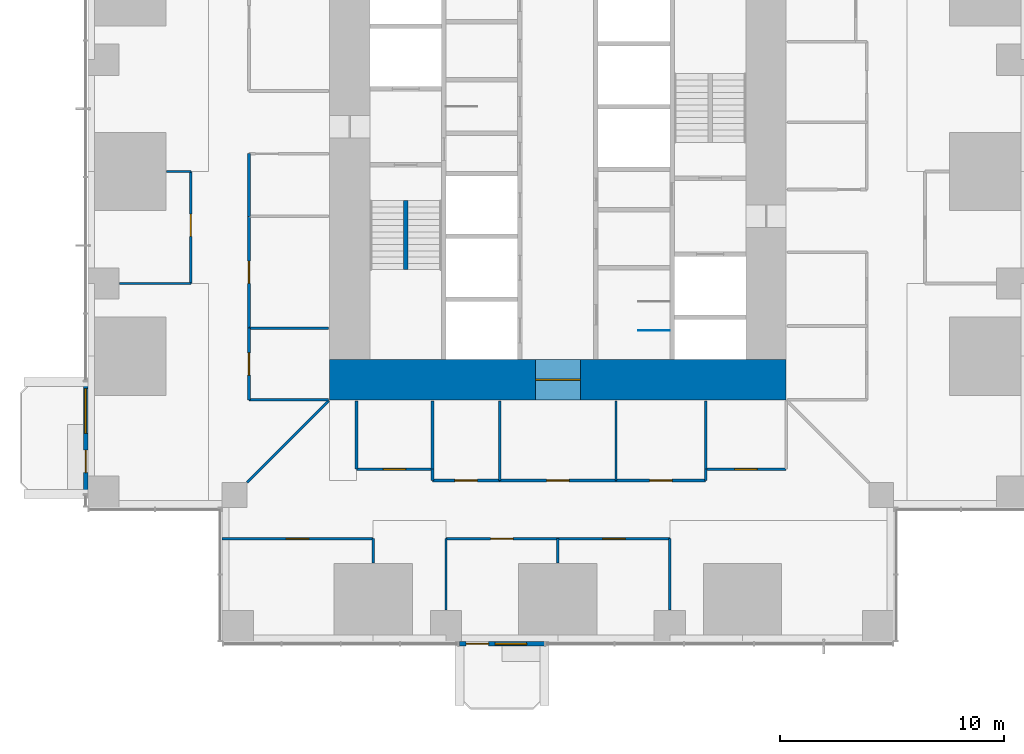
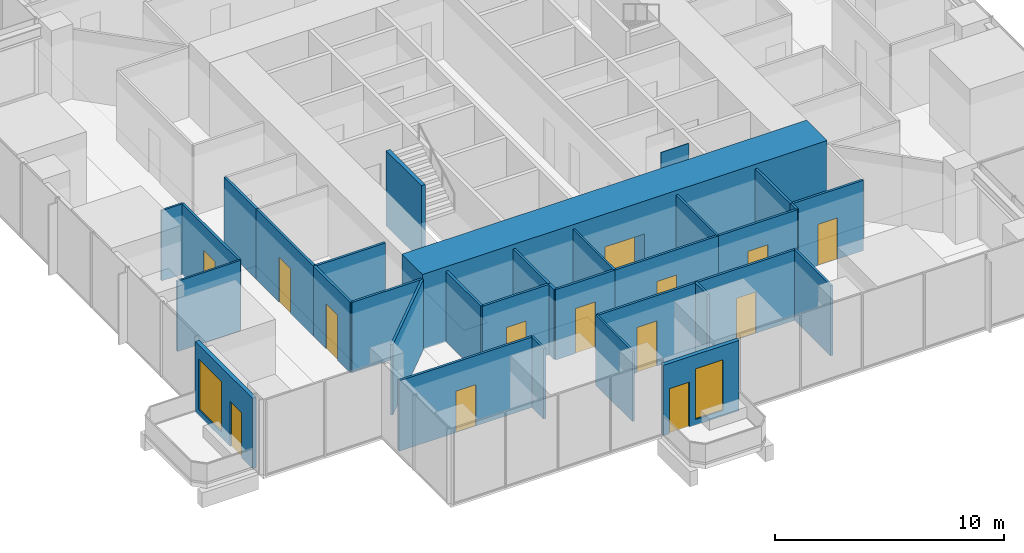
# One storey, part 11 of 18: 33 walls, 14 doors, 2 windows, 16 openings.
"""IFC4 building model written with IfcOpenShell, lengths in metres."""

import ifcopenshell
import ifcopenshell.guid

model = None  # the IFC model being written
_history = None  # IfcOwnerHistory: only IFC2X3 demands one
_inside = {}  # id of a spatial element -> (the spatial element, [elements in it])
_under = {}  # id of a project, library or spatial element -> (it, [spatial elements below it])
_declared = {}  # id of a project -> (the project, [libraries it declares])
_typed = {}  # id of a type object -> (the type object, [elements of that type])
_made_of = {}  # id of a material, layer set ... -> (it, [elements and type objects made of it])


def new_model(schema):
    """Start an empty IFC model of exactly this schema.

    Asked for "IFC4X3", IfcOpenShell would pick the latest addendum, in which some entities
    have other attributes; the version numbers below select the first issue.
    IFC2X3 requires an IfcOwnerHistory on every rooted entity: one is made here for all.
    """
    global model, _history
    if schema == "IFC4X3":
        model = ifcopenshell.file(schema_version=(4, 3, 0, 0))
    else:
        model = ifcopenshell.file(schema=schema)
    _inside.clear()
    _under.clear()
    _declared.clear()
    _typed.clear()
    _made_of.clear()
    _history = None
    if model.schema == "IFC2X3":
        org = make("IfcOrganization", Name="unknown")
        user = make(
            "IfcPersonAndOrganization",
            ThePerson=make("IfcPerson", FamilyName="unknown"),
            TheOrganization=org,
        )
        app = make(
            "IfcApplication",
            ApplicationDeveloper=org,
            Version="unknown",
            ApplicationFullName="unknown",
            ApplicationIdentifier="unknown",
        )
        _history = make(
            "IfcOwnerHistory",
            OwningUser=user,
            OwningApplication=app,
            ChangeAction="ADDED",
            CreationDate=0,
        )
    return model


def make(cls, **values):
    """One entity of the class cls with the attributes given. An attribute that is None is left unset."""
    return model.create_entity(
        cls, **{name: value for name, value in values.items() if value is not None}
    )


def rooted(cls, **values):
    """An entity with a GlobalId (a new one), such as an element, a storey or a relation."""
    return make(cls, GlobalId=ifcopenshell.guid.new(), OwnerHistory=_history, **values)


def si_unit(unit_type, name, prefix=None):
    """IfcSIUnit, for example si_unit("LENGTHUNIT", "METRE", prefix="MILLI")."""
    return make("IfcSIUnit", UnitType=unit_type, Prefix=prefix, Name=name)


def assignment(units):
    """IfcUnitAssignment: the units of a project."""
    return None if units is None else make("IfcUnitAssignment", Units=units)


def point(xyz):
    """IfcCartesianPoint."""
    return None if xyz is None else make("IfcCartesianPoint", Coordinates=xyz)


def direction(xyz):
    """IfcDirection."""
    return None if xyz is None else make("IfcDirection", DirectionRatios=xyz)


def frame(location, z_axis=None, x_axis=None):
    """IfcAxis2Placement3D, a coordinate frame: its origin and axes. An axis left out is left unset."""
    return make(
        "IfcAxis2Placement3D",
        Location=point(location),
        Axis=direction(z_axis),
        RefDirection=direction(x_axis),
    )


def frame_2d(location, x_axis=None):
    """IfcAxis2Placement2D, a coordinate frame in the plane: its origin and x axis."""
    return make(
        "IfcAxis2Placement2D", Location=point(location), RefDirection=direction(x_axis)
    )


def origin():
    """The frame at (0, 0, 0) with its axes left unset."""
    return frame((0.0, 0.0, 0.0))


def place(relative_to, where):
    """IfcLocalPlacement: puts the frame where relative to a parent placement (None: the world)."""
    return make(
        "IfcLocalPlacement", PlacementRelTo=relative_to, RelativePlacement=where
    )


def context(
    kind, dimensions, precision=None, world=None, true_north=None, identifier=None
):
    """IfcGeometricRepresentationContext, for example the 3D "Model" context."""
    return make(
        "IfcGeometricRepresentationContext",
        ContextIdentifier=identifier,
        ContextType=kind,
        CoordinateSpaceDimension=dimensions,
        Precision=precision,
        WorldCoordinateSystem=world,
        TrueNorth=true_north,
    )


def subcontext(parent, identifier, kind, view, scale=None):
    """IfcGeometricRepresentationSubContext, for example "Body" below "Model"."""
    return make(
        "IfcGeometricRepresentationSubContext",
        ContextIdentifier=identifier,
        ContextType=kind,
        ParentContext=parent,
        TargetScale=scale,
        TargetView=view,
    )


def project(units=None, contexts=None):
    """IfcProject with its units and contexts."""
    return rooted(
        "IfcProject",
        Name="project",
        RepresentationContexts=contexts,
        UnitsInContext=assignment(units),
    )


def spatial(cls, under=None, at=None, **own):
    """A site, building, storey or space (cls), placed at a placement, below another one or the project."""
    s = rooted(cls, ObjectPlacement=at, **own)
    if under is not None:
        _under.setdefault(under.id(), (under, []))[1].append(s)
    return s


def profile(cls, at=None, kind="AREA", **sizes):
    """A parametric profile (cls). Its sizes go by their IFC names, for example OverallWidth=200.0."""
    return make(cls, ProfileType=kind, Position=at, **sizes)


def rectangle(**sizes):
    """IfcRectangleProfileDef."""
    return profile("IfcRectangleProfileDef", **sizes)


def extrude(swept, where, along, depth):
    """IfcExtrudedAreaSolid: the profile swept, set in the frame where, extruded along a direction by depth."""
    return make(
        "IfcExtrudedAreaSolid",
        SweptArea=swept,
        Position=where,
        ExtrudedDirection=direction(along),
        Depth=depth,
    )


def shape(context_of_items, identifier, shape_type, items):
    """IfcShapeRepresentation: the items that make up one representation, for example the "Body"."""
    return make(
        "IfcShapeRepresentation",
        ContextOfItems=context_of_items,
        RepresentationIdentifier=identifier,
        RepresentationType=shape_type,
        Items=items,
    )


def material(Name=None, Category=None):
    """IfcMaterial."""
    return make("IfcMaterial", Name=Name, Category=Category)


def layer(
    of_material, thickness, ventilated=None, Name=None, Category=None, Priority=None
):
    """IfcMaterialLayer: one layer of a wall or slab, of a material (None: an air gap)."""
    return make(
        "IfcMaterialLayer",
        Material=of_material,
        LayerThickness=thickness,
        IsVentilated=ventilated,
        Name=Name,
        Category=Category,
        Priority=Priority,
    )


def layer_set(layers, Name=None):
    """IfcMaterialLayerSet."""
    return make("IfcMaterialLayerSet", MaterialLayers=layers, LayerSetName=Name)


def made_of(thing, what):
    """Note that an element or type object is made of a material, layer set ...; save() writes the relation."""
    if what is not None:
        _made_of.setdefault(what.id(), (what, []))[1].append(thing)
    return thing


def type_object(cls, material=None, **own):
    """A type object (cls), such as IfcWallType, which elements share."""
    return made_of(rooted(cls, **own), material)


def element(
    cls,
    number,
    at=None,
    inside=None,
    cuts=None,
    type_object=None,
    material=None,
    context=None,
    identifier="Body",
    shape_type=None,
    held_by="IfcProductDefinitionShape",
    body=None,
    shapes=None,
    **own,
):
    """One element of the class cls, such as IfcWall. Its Tag is "e" and its number.

    at: its placement. inside: the storey or other place that contains it. cuts: it is an
    opening in that element (IfcRelVoidsElement). A single representation is given by context,
    identifier, shape_type and body (its items); several are given by shapes. held_by: the class
    of the entity that holds the representations. save() writes the other relations.
    """
    e = rooted(cls, Tag="e%d" % number, ObjectPlacement=at, **own)
    if body is not None:
        shapes = [shape(context, identifier, shape_type, body)]
    if shapes is not None:
        e.Representation = make(held_by, Representations=shapes)
    if inside is not None:
        _inside.setdefault(inside.id(), (inside, []))[1].append(e)
    if cuts is not None:
        rooted(
            "IfcRelVoidsElement", RelatingBuildingElement=cuts, RelatedOpeningElement=e
        )
    if type_object is not None:
        _typed.setdefault(type_object.id(), (type_object, []))[1].append(e)
    return made_of(e, material)


def fill(opening, filler):
    """IfcRelFillsElement: the door or window that sits in an opening."""
    return rooted(
        "IfcRelFillsElement",
        RelatingOpeningElement=opening,
        RelatedBuildingElement=filler,
    )


def aggregate(whole, parts):
    """IfcRelAggregates: a whole, such as a stair, and the parts it consists of."""
    return rooted("IfcRelAggregates", RelatingObject=whole, RelatedObjects=parts)


def save(model, path):
    """Write the relations noted so far, then the file.

    IfcRelAggregates (storeys below a building ...), IfcRelContainedInSpatialStructure (elements
    in a storey), IfcRelDefinesByType, IfcRelAssociatesMaterial and IfcRelDeclares: one each for
    every whole, place, type object, material and project.
    """
    for whole, parts in _under.values():
        aggregate(whole, parts)
    for where, things in _inside.values():
        rooted(
            "IfcRelContainedInSpatialStructure",
            RelatedElements=things,
            RelatingStructure=where,
        )
    for kind, things in _typed.values():
        rooted("IfcRelDefinesByType", RelatedObjects=things, RelatingType=kind)
    for what, things in _made_of.values():
        rooted("IfcRelAssociatesMaterial", RelatedObjects=things, RelatingMaterial=what)
    for by, libraries in _declared.values():
        rooted("IfcRelDeclares", RelatingContext=by, RelatedDefinitions=libraries)
    model.write(path)


model = new_model("IFC4")

# Units and contexts
model_context = context("Model", 3, precision=1e-05, world=origin(), true_north=direction((0.0, 1.0)))
body_context = subcontext(model_context, "Body", "Model", "MODEL_VIEW")
ifc_project = project(units=[si_unit("LENGTHUNIT", "METRE"), si_unit("AREAUNIT", "SQUARE_METRE"), si_unit("VOLUMEUNIT", "CUBIC_METRE"), si_unit("PLANEANGLEUNIT", "RADIAN"), si_unit("MASSUNIT", "GRAM", prefix="KILO")], contexts=[model_context])

# Site, building, storey
site_placement = place(None, origin())
site = spatial("IfcSite", under=ifc_project, at=site_placement, CompositionType="ELEMENT")
building_placement = place(site_placement, origin())
building = spatial("IfcBuilding", under=site, at=building_placement, Name="Svetlomir Tower", CompositionType="ELEMENT")
storey_placement = place(building_placement, frame((0.0, 0.0, 54.5)))
storey = spatial("IfcBuildingStorey", under=building, at=storey_placement, Name="L12", CompositionType="ELEMENT", Elevation=54.5)

# Wall, openings, door, window
ifc_material_1 = material(Name="Bronze anodised aluminium glazed screen", Category="aluminium")
ifc_layer_1 = layer(ifc_material_1, 0.199951171875)
ifc_layer_set_1 = layer_set([ifc_layer_1], Name="Bronze anodised aluminium glazed screen")
wall_type_1 = type_object("IfcWallType", Name="BALCONY SCREEN WALL 200", PredefinedType="USERDEFINED", material=ifc_layer_set_1)
wall_1_placement = place(storey_placement, frame((16.60009765625, -0.10009765625, 0.0), z_axis=(0.0, 0.0, 1.0), x_axis=(1.0, 0.0, 0.0)))
wall_1 = element("IfcWall", 1, at=wall_1_placement, inside=storey, type_object=wall_type_1, Name="Balcony screen S", ObjectType="GLAZED SCREEN", PredefinedType="USERDEFINED", context=body_context, shape_type="SweptSolid", body=[
    extrude(rectangle(XDim=3.7998046875, YDim=0.199951171875, at=frame_2d((1.89990234375, 0.0))), origin(), (0.0, 0.0, 1.0), 3.75),
])
opening_1_placement = place(wall_1_placement, frame((0.300048828125, 0.0, 0.0)))
opening_1 = element("IfcOpeningElement", 2, at=opening_1_placement, cuts=wall_1, Name="Opening BD", PredefinedType="OPENING", context=body_context, shape_type="SweptSolid", body=[
    extrude(rectangle(XDim=1.0, YDim=2.39990234375, at=frame_2d((0.5, 1.199951171875))), frame((0.0, 0.10986328125, 0.0), z_axis=(0.0, -1.0, 0.0), x_axis=(1.0, 0.0, 0.0)), (0.0, 0.0, 1.0), 0.219970703125),
])
opening_2_placement = place(wall_1_placement, frame((1.60009765625, 0.0, 0.300048828125)))
opening_2 = element("IfcOpeningElement", 3, at=opening_2_placement, cuts=wall_1, Name="Opening WS2", PredefinedType="OPENING", context=body_context, shape_type="SweptSolid", body=[
    extrude(rectangle(XDim=1.39990234375, YDim=2.699951171875, at=frame_2d((0.699951171875, 1.35009765625))), frame((0.0, 0.10986328125, 0.0), z_axis=(0.0, -1.0, 0.0), x_axis=(1.0, 0.0, 0.0)), (0.0, 0.0, 1.0), 0.219970703125),
])
ifc_material_2 = material(Name="Bronze anodised aluminium glazed door", Category="aluminium")
door_type_1 = type_object("IfcDoorType", Name="BALCONY DOOR BD 1000x2400", OperationType="SINGLE_SWING_LEFT", PredefinedType="DOOR", material=ifc_material_2)
door_1_placement = place(opening_1_placement, origin())
door_1 = element("IfcDoor", 4, at=door_1_placement, inside=storey, type_object=door_type_1, Name="Balcony screen S door", OperationType="SINGLE_SWING_LEFT", OverallHeight=2.39990234375, OverallWidth=1.0, PredefinedType="DOOR", context=body_context, shape_type="SweptSolid", body=[
    extrude(rectangle(XDim=1.0, YDim=2.39990234375, at=frame_2d((0.5, 1.199951171875))), frame((0.0, 0.02490234375, 0.0), z_axis=(0.0, -1.0, 0.0), x_axis=(1.0, 0.0, 0.0)), (0.0, 0.0, 1.0), 0.050048828125),
])
fill(opening_1, door_1)
ifc_material_3 = material(Name="Bronze anodised aluminium window", Category="aluminium")
window_type_1 = type_object("IfcWindowType", Name="SCREEN WINDOW WS2 1400x2700", PartitioningType="SINGLE_PANEL", PredefinedType="WINDOW", material=ifc_material_3)
window_1_placement = place(opening_2_placement, origin())
window_1 = element("IfcWindow", 5, at=window_1_placement, inside=storey, type_object=window_type_1, Name="Balcony screen S window 1", OverallHeight=2.699951171875, OverallWidth=1.39990234375, PartitioningType="SINGLE_PANEL", PredefinedType="WINDOW", context=body_context, shape_type="SweptSolid", body=[
    extrude(rectangle(XDim=1.39990234375, YDim=2.699951171875, at=frame_2d((0.699951171875, 1.35009765625))), frame((0.0, 0.030029296875, 0.0), z_axis=(0.0, -1.0, 0.0), x_axis=(1.0, 0.0, 0.0)), (0.0, 0.0, 1.0), 0.06005859375),
])
fill(opening_2, window_1)

wall_2_placement = place(storey_placement, frame((-0.10009765625, 11.60009765625, 0.0), z_axis=(0.0, 0.0, 1.0), x_axis=(0.0, -1.0, 0.0)))
wall_2 = element("IfcWall", 6, at=wall_2_placement, inside=storey, type_object=wall_type_1, Name="Balcony screen W", ObjectType="GLAZED SCREEN", PredefinedType="USERDEFINED", context=body_context, shape_type="SweptSolid", body=[
    extrude(rectangle(XDim=5.0, YDim=0.199951171875, at=frame_2d((2.5, 0.0))), origin(), (0.0, 0.0, 1.0), 3.75),
])
opening_3_placement = place(wall_2_placement, frame((3.050048828125, 0.0, 0.0)))
opening_3 = element("IfcOpeningElement", 7, at=opening_3_placement, cuts=wall_2, Name="Opening BD", PredefinedType="OPENING", context=body_context, shape_type="SweptSolid", body=[
    extrude(rectangle(XDim=1.0, YDim=2.39990234375, at=frame_2d((0.5, 1.199951171875))), frame((0.0, 0.10986328125, 0.0), z_axis=(0.0, -1.0, 0.0), x_axis=(1.0, 0.0, 0.0)), (0.0, 0.0, 1.0), 0.219970703125),
])
opening_4_placement = place(wall_2_placement, frame((0.300048828125, 0.0, 0.300048828125)))
opening_4 = element("IfcOpeningElement", 8, at=opening_4_placement, cuts=wall_2, Name="Opening WS", PredefinedType="OPENING", context=body_context, shape_type="SweptSolid", body=[
    extrude(rectangle(XDim=2.0, YDim=2.699951171875, at=frame_2d((1.0, 1.35009765625))), frame((0.0, 0.10986328125, 0.0), z_axis=(0.0, -1.0, 0.0), x_axis=(1.0, 0.0, 0.0)), (0.0, 0.0, 1.0), 0.219970703125),
])
door_2_placement = place(opening_3_placement, origin())
door_2 = element("IfcDoor", 9, at=door_2_placement, inside=storey, type_object=door_type_1, Name="Balcony screen W door", OperationType="SINGLE_SWING_LEFT", OverallHeight=2.39990234375, OverallWidth=1.0, PredefinedType="DOOR", context=body_context, shape_type="SweptSolid", body=[
    extrude(rectangle(XDim=1.0, YDim=2.39990234375, at=frame_2d((0.5, 1.199951171875))), frame((0.0, 0.02490234375, 0.0), z_axis=(0.0, -1.0, 0.0), x_axis=(1.0, 0.0, 0.0)), (0.0, 0.0, 1.0), 0.050048828125),
])
fill(opening_3, door_2)
ifc_material_4 = material(Name="Bronze anodised aluminium window", Category="aluminium")
window_type_2 = type_object("IfcWindowType", Name="SCREEN WINDOW WS 2000x2700", PartitioningType="SINGLE_PANEL", PredefinedType="WINDOW", material=ifc_material_4)
window_2_placement = place(opening_4_placement, origin())
window_2 = element("IfcWindow", 10, at=window_2_placement, inside=storey, type_object=window_type_2, Name="Balcony screen W window 1", OverallHeight=2.699951171875, OverallWidth=2.0, PartitioningType="SINGLE_PANEL", PredefinedType="WINDOW", context=body_context, shape_type="SweptSolid", body=[
    extrude(rectangle(XDim=2.0, YDim=2.699951171875, at=frame_2d((1.0, 1.35009765625))), frame((0.0, 0.030029296875, 0.0), z_axis=(0.0, -1.0, 0.0), x_axis=(1.0, 0.0, 0.0)), (0.0, 0.0, 1.0), 0.06005859375),
])
fill(opening_4, window_2)

# Wall, opening, door
ifc_material_5 = material(Name="Concrete C60/75", Category="concrete")
ifc_layer_2 = layer(ifc_material_5, 1.800048828125)
ifc_layer_set_2 = layer_set([ifc_layer_2], Name="Concrete C60/75")
wall_type_2 = type_object("IfcWallType", Name="CORE WALL 1800", PredefinedType="SHEAR", material=ifc_layer_set_2)
wall_3_placement = place(storey_placement, frame((10.800048828125, 11.699951171875, -0.050048828125), z_axis=(0.0, 0.0, 1.0), x_axis=(1.0, 0.0, 0.0)))
wall_3 = element("IfcWall", 11, at=wall_3_placement, inside=storey, type_object=wall_type_2, Name="Core wall south L12", PredefinedType="SHEAR", context=body_context, shape_type="SweptSolid", body=[
    extrude(rectangle(XDim=20.39990234375, YDim=1.800048828125, at=frame_2d((10.199951171875, 0.0))), origin(), (0.0, 0.0, 1.0), 4.0),
])
opening_5_placement = place(wall_3_placement, frame((9.199951171875, 0.0, 0.050048828125)))
opening_5 = element("IfcOpeningElement", 12, at=opening_5_placement, cuts=wall_3, Name="Opening DL", PredefinedType="OPENING", context=body_context, shape_type="SweptSolid", body=[
    extrude(rectangle(XDim=2.0, YDim=2.199951171875, at=frame_2d((1.0, 1.10009765625))), frame((0.0, 0.91015625, 0.0), z_axis=(0.0, -1.0, 0.0), x_axis=(1.0, 0.0, 0.0)), (0.0, 0.0, 1.0), 1.820068359375),
])
ifc_material_6 = material(Name="Steel fire door", Category="steel")
door_type_2 = type_object("IfcDoorType", Name="DOOR DL 2000x2200", OperationType="DOUBLE_DOOR_SINGLE_SWING", PredefinedType="DOOR", material=ifc_material_6)
door_3_placement = place(opening_5_placement, origin())
door_3 = element("IfcDoor", 13, at=door_3_placement, inside=storey, type_object=door_type_2, Name="Lift lobby south door L12", OperationType="DOUBLE_DOOR_SINGLE_SWING", OverallHeight=2.199951171875, OverallWidth=2.0, PredefinedType="DOOR", context=body_context, shape_type="SweptSolid", body=[
    extrude(rectangle(XDim=2.0, YDim=2.199951171875, at=frame_2d((1.0, 1.10009765625))), frame((0.0, 0.02490234375, 0.0), z_axis=(0.0, -1.0, 0.0), x_axis=(1.0, 0.0, 0.0)), (0.0, 0.0, 1.0), 0.050048828125),
])
fill(opening_5, door_3)

# Walls
ifc_material_7 = material(Name="Framed laminated glass partition", Category="glass")
ifc_layer_3 = layer(ifc_material_7, 0.10009765625)
ifc_layer_set_3 = layer_set([ifc_layer_3], Name="Framed laminated glass partition")
wall_type_3 = type_object("IfcWallType", Name="GLAZED PARTITION 100", PredefinedType="PARTITIONING", material=ifc_layer_set_3)
wall_4_placement = place(storey_placement, frame((1.409912109375, 16.0, 0.0), z_axis=(0.0, 0.0, 1.0), x_axis=(1.0, 0.0, 0.0)))
element("IfcWall", 14, at=wall_4_placement, inside=storey, type_object=wall_type_3, Name="Glazed partition L12", PredefinedType="PARTITIONING", context=body_context, shape_type="SweptSolid", body=[
    extrude(rectangle(XDim=3.190185546875, YDim=0.10009765625, at=frame_2d((1.59521484375, 0.0))), origin(), (0.0, 0.0, 1.0), 3.75),
])
wall_5_placement = place(storey_placement, frame((3.510009765625, 21.0, 0.0), z_axis=(0.0, 0.0, 1.0), x_axis=(1.0, 0.0, 0.0)))
element("IfcWall", 15, at=wall_5_placement, inside=storey, type_object=wall_type_3, Name="Glazed partition L12", PredefinedType="PARTITIONING", context=body_context, shape_type="SweptSolid", body=[
    extrude(rectangle(XDim=1.090087890625, YDim=0.10009765625, at=frame_2d((0.544921875, 0.0))), origin(), (0.0, 0.0, 1.0), 3.75),
])
wall_6_placement = place(storey_placement, frame((16.0, 1.409912109375, 0.0), z_axis=(0.0, 0.0, 1.0), x_axis=(0.0, 1.0, 0.0)))
element("IfcWall", 16, at=wall_6_placement, inside=storey, type_object=wall_type_3, Name="Glazed partition L12", PredefinedType="PARTITIONING", context=body_context, shape_type="SweptSolid", body=[
    extrude(rectangle(XDim=3.190185546875, YDim=0.10009765625, at=frame_2d((1.59521484375, 0.0))), origin(), (0.0, 0.0, 1.0), 3.75),
])
for number, where, z_axis, x_axis, name in (
    (17, (18.39990234375, 7.199951171875, 0.0), (0.0, 0.0, 1.0), (0.0, 1.0, 0.0), "Glazed partition L12"),
    (18, (23.60009765625, 7.199951171875, 0.0), (0.0, 0.0, 1.0), (0.0, 1.0, 0.0), "Glazed partition L12"),
):
    element("IfcWall", number, at=place(storey_placement, frame(where, z_axis=z_axis, x_axis=x_axis)), inside=storey, type_object=wall_type_3, Name=name, PredefinedType="PARTITIONING", context=body_context, shape_type="SweptSolid", body=[
        extrude(rectangle(XDim=3.550048828125, YDim=0.10009765625, at=frame_2d((1.77490234375, 0.0))), origin(), (0.0, 0.0, 1.0), 3.75),
    ])

# Wall, opening, door
ifc_material_8 = material(Name="Gypsum board on steel studs", Category="steel")
ifc_layer_4 = layer(ifc_material_8, 0.1201171875)
ifc_layer_set_4 = layer_set([ifc_layer_4], Name="Gypsum board on steel studs")
wall_type_4 = type_object("IfcWallType", Name="PARTITION 120", PredefinedType="PARTITIONING", material=ifc_layer_set_4)
wall_7_placement = place(storey_placement, frame((4.60009765625, 16.0, 0.0), z_axis=(0.0, 0.0, 1.0), x_axis=(0.0, 1.0, 0.0)))
wall_7 = element("IfcWall", 19, at=wall_7_placement, inside=storey, type_object=wall_type_4, Name="Partition L12", PredefinedType="PARTITIONING", context=body_context, shape_type="SweptSolid", body=[
    extrude(rectangle(XDim=5.0, YDim=0.1201171875, at=frame_2d((2.5, 0.0))), origin(), (0.0, 0.0, 1.0), 3.75),
])
opening_6_placement = place(wall_7_placement, frame((2.10009765625, 0.0, 0.0)))
opening_6 = element("IfcOpeningElement", 20, at=opening_6_placement, cuts=wall_7, Name="Opening DG", PredefinedType="OPENING", context=body_context, shape_type="SweptSolid", body=[
    extrude(rectangle(XDim=1.0, YDim=2.39990234375, at=frame_2d((0.5, 1.199951171875))), frame((0.0, 0.070068359375, 0.0), z_axis=(0.0, -1.0, 0.0), x_axis=(1.0, 0.0, 0.0)), (0.0, 0.0, 1.0), 0.14013671875),
])
ifc_material_9 = material(Name="Framed laminated glass door", Category="glass")
door_type_3 = type_object("IfcDoorType", Name="GLAZED DOOR DG 1000x2400", OperationType="SINGLE_SWING_LEFT", PredefinedType="DOOR", material=ifc_material_9)
door_4_placement = place(opening_6_placement, origin())
door_4 = element("IfcDoor", 21, at=door_4_placement, inside=storey, type_object=door_type_3, Name="Analytics lab door L12", OperationType="SINGLE_SWING_RIGHT", OverallHeight=2.39990234375, OverallWidth=1.0, PredefinedType="DOOR", context=body_context, shape_type="SweptSolid", body=[
    extrude(rectangle(XDim=1.0, YDim=2.39990234375, at=frame_2d((0.5, 1.199951171875))), frame((0.0, 0.02490234375, 0.0), z_axis=(0.0, -1.0, 0.0), x_axis=(1.0, 0.0, 0.0)), (0.0, 0.0, 1.0), 0.050048828125),
])
fill(opening_6, door_4)

wall_8_placement = place(storey_placement, frame((6.0, 4.60009765625, 0.0), z_axis=(0.0, 0.0, 1.0), x_axis=(1.0, 0.0, 0.0)))
wall_8 = element("IfcWall", 22, at=wall_8_placement, inside=storey, type_object=wall_type_4, Name="Partition L12", PredefinedType="PARTITIONING", context=body_context, shape_type="SweptSolid", body=[
    extrude(rectangle(XDim=6.75, YDim=0.1201171875, at=frame_2d((3.375, 0.0))), origin(), (0.0, 0.0, 1.0), 3.75),
])
opening_7_placement = place(wall_8_placement, frame((2.875, 0.0, 0.0)))
opening_7 = element("IfcOpeningElement", 23, at=opening_7_placement, cuts=wall_8, Name="Opening DR", PredefinedType="OPENING", context=body_context, shape_type="SweptSolid", body=[
    extrude(rectangle(XDim=1.0, YDim=2.199951171875, at=frame_2d((0.5, 1.10009765625))), frame((0.0, 0.070068359375, 0.0), z_axis=(0.0, -1.0, 0.0), x_axis=(1.0, 0.0, 0.0)), (0.0, 0.0, 1.0), 0.14013671875),
])
ifc_material_10 = material(Name="Timber door, glazed side light", Category="wood")
door_type_4 = type_object("IfcDoorType", Name="DOOR DR 1000x2200", OperationType="SINGLE_SWING_LEFT", PredefinedType="DOOR", material=ifc_material_10)
door_5_placement = place(opening_7_placement, origin())
door_5 = element("IfcDoor", 24, at=door_5_placement, inside=storey, type_object=door_type_4, Name="Head of data office door L12", OperationType="SINGLE_SWING_RIGHT", OverallHeight=2.199951171875, OverallWidth=1.0, PredefinedType="DOOR", context=body_context, shape_type="SweptSolid", body=[
    extrude(rectangle(XDim=1.0, YDim=2.199951171875, at=frame_2d((0.5, 1.10009765625))), frame((0.0, 0.02490234375, 0.0), z_axis=(0.0, -1.0, 0.0), x_axis=(1.0, 0.0, 0.0)), (0.0, 0.0, 1.0), 0.050048828125),
])
fill(opening_7, door_5)

# Wall
wall_9_placement = place(storey_placement, frame((7.110107421875, 7.110107421875, 0.0), z_axis=(0.0, 0.0, 1.0), x_axis=(0.707106781187, 0.707106781187, 0.0)))
element("IfcWall", 25, at=wall_9_placement, inside=storey, type_object=wall_type_4, Name="Partition L12", PredefinedType="PARTITIONING", context=body_context, shape_type="SweptSolid", body=[
    extrude(rectangle(XDim=5.168212890625, YDim=0.1201171875, at=frame_2d((2.583984375, 0.0))), origin(), (0.0, 0.0, 1.0), 3.75),
])

# Wall, opening, door
wall_10_placement = place(storey_placement, frame((7.199951171875, 10.800048828125, 0.0), z_axis=(0.0, 0.0, 1.0), x_axis=(0.0, 1.0, 0.0)))
wall_10 = element("IfcWall", 26, at=wall_10_placement, inside=storey, type_object=wall_type_4, Name="Partition L12", PredefinedType="PARTITIONING", context=body_context, shape_type="SweptSolid", body=[
    extrude(rectangle(XDim=3.199951171875, YDim=0.1201171875, at=frame_2d((1.60009765625, 0.0))), origin(), (0.0, 0.0, 1.0), 3.75),
])
opening_8_placement = place(wall_10_placement, frame((1.10009765625, 0.0, 0.0)))
opening_8 = element("IfcOpeningElement", 27, at=opening_8_placement, cuts=wall_10, Name="Opening DG", PredefinedType="OPENING", context=body_context, shape_type="SweptSolid", body=[
    extrude(rectangle(XDim=1.0, YDim=2.39990234375, at=frame_2d((0.5, 1.199951171875))), frame((0.0, 0.070068359375, 0.0), z_axis=(0.0, -1.0, 0.0), x_axis=(1.0, 0.0, 0.0)), (0.0, 0.0, 1.0), 0.14013671875),
])
door_6_placement = place(opening_8_placement, origin())
door_6 = element("IfcDoor", 28, at=door_6_placement, inside=storey, type_object=door_type_3, Name="Phone rooms door L12", OperationType="SINGLE_SWING_LEFT", OverallHeight=2.39990234375, OverallWidth=1.0, PredefinedType="DOOR", context=body_context, shape_type="SweptSolid", body=[
    extrude(rectangle(XDim=1.0, YDim=2.39990234375, at=frame_2d((0.5, 1.199951171875))), frame((0.0, 0.02490234375, 0.0), z_axis=(0.0, -1.0, 0.0), x_axis=(1.0, 0.0, 0.0)), (0.0, 0.0, 1.0), 0.050048828125),
])
fill(opening_8, door_6)

# Wall
wall_11_placement = place(storey_placement, frame((7.199951171875, 10.800048828125, 0.0), z_axis=(0.0, 0.0, 1.0), x_axis=(1.0, 0.0, 0.0)))
element("IfcWall", 29, at=wall_11_placement, inside=storey, type_object=wall_type_4, Name="Partition L12", PredefinedType="PARTITIONING", context=body_context, shape_type="SweptSolid", body=[
    extrude(rectangle(XDim=3.550048828125, YDim=0.1201171875, at=frame_2d((1.77490234375, 0.0))), origin(), (0.0, 0.0, 1.0), 3.75),
])

# Wall, opening, door
wall_12_placement = place(storey_placement, frame((7.199951171875, 14.0, 0.0), z_axis=(0.0, 0.0, 1.0), x_axis=(0.0, 1.0, 0.0)))
wall_12 = element("IfcWall", 30, at=wall_12_placement, inside=storey, type_object=wall_type_4, Name="Partition L12", PredefinedType="PARTITIONING", context=body_context, shape_type="SweptSolid", body=[
    extrude(rectangle(XDim=5.0, YDim=0.1201171875, at=frame_2d((2.5, 0.0))), origin(), (0.0, 0.0, 1.0), 3.75),
])
opening_9_placement = place(wall_12_placement, frame((2.0, 0.0, 0.0)))
opening_9 = element("IfcOpeningElement", 31, at=opening_9_placement, cuts=wall_12, Name="Opening DG", PredefinedType="OPENING", context=body_context, shape_type="SweptSolid", body=[
    extrude(rectangle(XDim=1.0, YDim=2.39990234375, at=frame_2d((0.5, 1.199951171875))), frame((0.0, 0.070068359375, 0.0), z_axis=(0.0, -1.0, 0.0), x_axis=(1.0, 0.0, 0.0)), (0.0, 0.0, 1.0), 0.14013671875),
])
door_7_placement = place(opening_9_placement, origin())
door_7 = element("IfcDoor", 32, at=door_7_placement, inside=storey, type_object=door_type_3, Name="Meeting room, 8 seats door L12", OperationType="SINGLE_SWING_RIGHT", OverallHeight=2.39990234375, OverallWidth=1.0, PredefinedType="DOOR", context=body_context, shape_type="SweptSolid", body=[
    extrude(rectangle(XDim=1.0, YDim=2.39990234375, at=frame_2d((0.5, 1.199951171875))), frame((0.0, 0.02490234375, 0.0), z_axis=(0.0, -1.0, 0.0), x_axis=(1.0, 0.0, 0.0)), (0.0, 0.0, 1.0), 0.050048828125),
])
fill(opening_9, door_7)

# Walls
wall_13_placement = place(storey_placement, frame((7.199951171875, 14.0, 0.0), z_axis=(0.0, 0.0, 1.0), x_axis=(1.0, 0.0, 0.0)))
element("IfcWall", 33, at=wall_13_placement, inside=storey, type_object=wall_type_4, Name="Partition L12", PredefinedType="PARTITIONING", context=body_context, shape_type="SweptSolid", body=[
    extrude(rectangle(XDim=3.550048828125, YDim=0.1201171875, at=frame_2d((1.77490234375, 0.0))), origin(), (0.0, 0.0, 1.0), 3.75),
])
wall_14_placement = place(storey_placement, frame((7.199951171875, 19.0, 0.0), z_axis=(0.0, 0.0, 1.0), x_axis=(0.0, 1.0, 0.0)))
element("IfcWall", 34, at=wall_14_placement, inside=storey, type_object=wall_type_4, Name="Partition L12", PredefinedType="PARTITIONING", context=body_context, shape_type="SweptSolid", body=[
    extrude(rectangle(XDim=2.800048828125, YDim=0.1201171875, at=frame_2d((1.39990234375, 0.0))), origin(), (0.0, 0.0, 1.0), 3.75),
])
wall_15_placement = place(storey_placement, frame((12.0, 7.699951171875, 0.0), z_axis=(0.0, 0.0, 1.0), x_axis=(0.0, 1.0, 0.0)))
element("IfcWall", 35, at=wall_15_placement, inside=storey, type_object=wall_type_4, Name="Partition L12", PredefinedType="PARTITIONING", context=body_context, shape_type="SweptSolid", body=[
    extrude(rectangle(XDim=3.050048828125, YDim=0.1201171875, at=frame_2d((1.52490234375, 0.0))), origin(), (0.0, 0.0, 1.0), 3.75),
])

# Wall, opening, door
wall_16_placement = place(storey_placement, frame((12.0, 7.699951171875, 0.0), z_axis=(0.0, 0.0, 1.0), x_axis=(1.0, 0.0, 0.0)))
wall_16 = element("IfcWall", 36, at=wall_16_placement, inside=storey, type_object=wall_type_4, Name="Partition L12", PredefinedType="PARTITIONING", context=body_context, shape_type="SweptSolid", body=[
    extrude(rectangle(XDim=3.39990234375, YDim=0.1201171875, at=frame_2d((1.699951171875, 0.0))), origin(), (0.0, 0.0, 1.0), 3.75),
])
opening_10_placement = place(wall_16_placement, frame((1.199951171875, 0.0, 0.0)))
opening_10 = element("IfcOpeningElement", 37, at=opening_10_placement, cuts=wall_16, Name="Opening DR", PredefinedType="OPENING", context=body_context, shape_type="SweptSolid", body=[
    extrude(rectangle(XDim=1.0, YDim=2.199951171875, at=frame_2d((0.5, 1.10009765625))), frame((0.0, 0.070068359375, 0.0), z_axis=(0.0, -1.0, 0.0), x_axis=(1.0, 0.0, 0.0)), (0.0, 0.0, 1.0), 0.14013671875),
])
door_8_placement = place(opening_10_placement, origin())
door_8 = element("IfcDoor", 38, at=door_8_placement, inside=storey, type_object=door_type_4, Name="Secure print room door L12", OperationType="SINGLE_SWING_RIGHT", OverallHeight=2.199951171875, OverallWidth=1.0, PredefinedType="DOOR", context=body_context, shape_type="SweptSolid", body=[
    extrude(rectangle(XDim=1.0, YDim=2.199951171875, at=frame_2d((0.5, 1.10009765625))), frame((0.0, 0.02490234375, 0.0), z_axis=(0.0, -1.0, 0.0), x_axis=(1.0, 0.0, 0.0)), (0.0, 0.0, 1.0), 0.050048828125),
])
fill(opening_10, door_8)

# Walls
wall_17_placement = place(storey_placement, frame((12.75, 3.510009765625, 0.0), z_axis=(0.0, 0.0, 1.0), x_axis=(0.0, 1.0, 0.0)))
element("IfcWall", 39, at=wall_17_placement, inside=storey, type_object=wall_type_4, Name="Partition L12", PredefinedType="PARTITIONING", context=body_context, shape_type="SweptSolid", body=[
    extrude(rectangle(XDim=1.090087890625, YDim=0.1201171875, at=frame_2d((0.544921875, 0.0))), origin(), (0.0, 0.0, 1.0), 3.75),
])
wall_18_placement = place(storey_placement, frame((15.39990234375, 7.199951171875, 0.0), z_axis=(0.0, 0.0, 1.0), x_axis=(0.0, 1.0, 0.0)))
element("IfcWall", 40, at=wall_18_placement, inside=storey, type_object=wall_type_4, Name="Partition L12", PredefinedType="PARTITIONING", context=body_context, shape_type="SweptSolid", body=[
    extrude(rectangle(XDim=0.5, YDim=0.1201171875, at=frame_2d((0.25, 0.0))), origin(), (0.0, 0.0, 1.0), 3.75),
])

# Wall, opening, door
wall_19_placement = place(storey_placement, frame((15.39990234375, 7.199951171875, 0.0), z_axis=(0.0, 0.0, 1.0), x_axis=(1.0, 0.0, 0.0)))
wall_19 = element("IfcWall", 41, at=wall_19_placement, inside=storey, type_object=wall_type_4, Name="Partition L12", PredefinedType="PARTITIONING", context=body_context, shape_type="SweptSolid", body=[
    extrude(rectangle(XDim=3.0, YDim=0.1201171875, at=frame_2d((1.5, 0.0))), origin(), (0.0, 0.0, 1.0), 3.75),
])
opening_11_placement = place(wall_19_placement, frame((1.0, 0.0, 0.0)))
opening_11 = element("IfcOpeningElement", 42, at=opening_11_placement, cuts=wall_19, Name="Opening DG", PredefinedType="OPENING", context=body_context, shape_type="SweptSolid", body=[
    extrude(rectangle(XDim=1.0, YDim=2.39990234375, at=frame_2d((0.5, 1.199951171875))), frame((0.0, 0.070068359375, 0.0), z_axis=(0.0, -1.0, 0.0), x_axis=(1.0, 0.0, 0.0)), (0.0, 0.0, 1.0), 0.14013671875),
])
door_9_placement = place(opening_11_placement, origin())
door_9 = element("IfcDoor", 43, at=door_9_placement, inside=storey, type_object=door_type_3, Name="Focus room door L12", OperationType="SINGLE_SWING_LEFT", OverallHeight=2.39990234375, OverallWidth=1.0, PredefinedType="DOOR", context=body_context, shape_type="SweptSolid", body=[
    extrude(rectangle(XDim=1.0, YDim=2.39990234375, at=frame_2d((0.5, 1.199951171875))), frame((0.0, 0.02490234375, 0.0), z_axis=(0.0, -1.0, 0.0), x_axis=(1.0, 0.0, 0.0)), (0.0, 0.0, 1.0), 0.050048828125),
])
fill(opening_11, door_9)

# Wall
wall_20_placement = place(storey_placement, frame((15.39990234375, 7.699951171875, 0.0), z_axis=(0.0, 0.0, 1.0), x_axis=(0.0, 1.0, 0.0)))
element("IfcWall", 44, at=wall_20_placement, inside=storey, type_object=wall_type_4, Name="Partition L12", PredefinedType="PARTITIONING", context=body_context, shape_type="SweptSolid", body=[
    extrude(rectangle(XDim=3.050048828125, YDim=0.1201171875, at=frame_2d((1.52490234375, 0.0))), origin(), (0.0, 0.0, 1.0), 3.75),
])

# Wall, opening, door
wall_21_placement = place(storey_placement, frame((16.0, 4.60009765625, 0.0), z_axis=(0.0, 0.0, 1.0), x_axis=(1.0, 0.0, 0.0)))
wall_21 = element("IfcWall", 45, at=wall_21_placement, inside=storey, type_object=wall_type_4, Name="Partition L12", PredefinedType="PARTITIONING", context=body_context, shape_type="SweptSolid", body=[
    extrude(rectangle(XDim=5.0, YDim=0.1201171875, at=frame_2d((2.5, 0.0))), origin(), (0.0, 0.0, 1.0), 3.75),
])
opening_12_placement = place(wall_21_placement, frame((2.0, 0.0, 0.0)))
opening_12 = element("IfcOpeningElement", 46, at=opening_12_placement, cuts=wall_21, Name="Opening DG", PredefinedType="OPENING", context=body_context, shape_type="SweptSolid", body=[
    extrude(rectangle(XDim=1.0, YDim=2.39990234375, at=frame_2d((0.5, 1.199951171875))), frame((0.0, 0.070068359375, 0.0), z_axis=(0.0, -1.0, 0.0), x_axis=(1.0, 0.0, 0.0)), (0.0, 0.0, 1.0), 0.14013671875),
])
door_10_placement = place(opening_12_placement, origin())
door_10 = element("IfcDoor", 47, at=door_10_placement, inside=storey, type_object=door_type_3, Name="Break-out and kitchenette door L12", OperationType="SINGLE_SWING_RIGHT", OverallHeight=2.39990234375, OverallWidth=1.0, PredefinedType="DOOR", context=body_context, shape_type="SweptSolid", body=[
    extrude(rectangle(XDim=1.0, YDim=2.39990234375, at=frame_2d((0.5, 1.199951171875))), frame((0.0, 0.02490234375, 0.0), z_axis=(0.0, -1.0, 0.0), x_axis=(1.0, 0.0, 0.0)), (0.0, 0.0, 1.0), 0.050048828125),
])
fill(opening_12, door_10)

wall_22_placement = place(storey_placement, frame((18.39990234375, 7.199951171875, 0.0), z_axis=(0.0, 0.0, 1.0), x_axis=(1.0, 0.0, 0.0)))
wall_22 = element("IfcWall", 48, at=wall_22_placement, inside=storey, type_object=wall_type_4, Name="Partition L12", PredefinedType="PARTITIONING", context=body_context, shape_type="SweptSolid", body=[
    extrude(rectangle(XDim=5.2001953125, YDim=0.1201171875, at=frame_2d((2.60009765625, 0.0))), origin(), (0.0, 0.0, 1.0), 3.75),
])
opening_13_placement = place(wall_22_placement, frame((2.10009765625, 0.0, 0.0)))
opening_13 = element("IfcOpeningElement", 49, at=opening_13_placement, cuts=wall_22, Name="Opening DG", PredefinedType="OPENING", context=body_context, shape_type="SweptSolid", body=[
    extrude(rectangle(XDim=1.0, YDim=2.39990234375, at=frame_2d((0.5, 1.199951171875))), frame((0.0, 0.070068359375, 0.0), z_axis=(0.0, -1.0, 0.0), x_axis=(1.0, 0.0, 0.0)), (0.0, 0.0, 1.0), 0.14013671875),
])
door_11_placement = place(opening_13_placement, origin())
door_11 = element("IfcDoor", 50, at=door_11_placement, inside=storey, type_object=door_type_3, Name="Ring corridor 1 door 3 L12", OperationType="SINGLE_SWING_LEFT", OverallHeight=2.39990234375, OverallWidth=1.0, PredefinedType="DOOR", context=body_context, shape_type="SweptSolid", body=[
    extrude(rectangle(XDim=1.0, YDim=2.39990234375, at=frame_2d((0.5, 1.199951171875))), frame((0.0, 0.02490234375, 0.0), z_axis=(0.0, -1.0, 0.0), x_axis=(1.0, 0.0, 0.0)), (0.0, 0.0, 1.0), 0.050048828125),
])
fill(opening_13, door_11)

# Wall
wall_23_placement = place(storey_placement, frame((21.0, 3.510009765625, 0.0), z_axis=(0.0, 0.0, 1.0), x_axis=(0.0, 1.0, 0.0)))
element("IfcWall", 51, at=wall_23_placement, inside=storey, type_object=wall_type_4, Name="Partition L12", PredefinedType="PARTITIONING", context=body_context, shape_type="SweptSolid", body=[
    extrude(rectangle(XDim=1.090087890625, YDim=0.1201171875, at=frame_2d((0.544921875, 0.0))), origin(), (0.0, 0.0, 1.0), 3.75),
])

# Wall, opening, door
wall_24_placement = place(storey_placement, frame((21.0, 4.60009765625, 0.0), z_axis=(0.0, 0.0, 1.0), x_axis=(1.0, 0.0, 0.0)))
wall_24 = element("IfcWall", 52, at=wall_24_placement, inside=storey, type_object=wall_type_4, Name="Partition L12", PredefinedType="PARTITIONING", context=body_context, shape_type="SweptSolid", body=[
    extrude(rectangle(XDim=5.0, YDim=0.1201171875, at=frame_2d((2.5, 0.0))), origin(), (0.0, 0.0, 1.0), 3.75),
])
opening_14_placement = place(wall_24_placement, frame((2.0, 0.0, 0.0)))
opening_14 = element("IfcOpeningElement", 53, at=opening_14_placement, cuts=wall_24, Name="Opening DR", PredefinedType="OPENING", context=body_context, shape_type="SweptSolid", body=[
    extrude(rectangle(XDim=1.0, YDim=2.199951171875, at=frame_2d((0.5, 1.10009765625))), frame((0.0, 0.070068359375, 0.0), z_axis=(0.0, -1.0, 0.0), x_axis=(1.0, 0.0, 0.0)), (0.0, 0.0, 1.0), 0.14013671875),
])
door_12_placement = place(opening_14_placement, origin())
door_12 = element("IfcDoor", 54, at=door_12_placement, inside=storey, type_object=door_type_4, Name="Data engineers office door L12", OperationType="SINGLE_SWING_LEFT", OverallHeight=2.199951171875, OverallWidth=1.0, PredefinedType="DOOR", context=body_context, shape_type="SweptSolid", body=[
    extrude(rectangle(XDim=1.0, YDim=2.199951171875, at=frame_2d((0.5, 1.10009765625))), frame((0.0, 0.02490234375, 0.0), z_axis=(0.0, -1.0, 0.0), x_axis=(1.0, 0.0, 0.0)), (0.0, 0.0, 1.0), 0.050048828125),
])
fill(opening_14, door_12)

wall_25_placement = place(storey_placement, frame((23.60009765625, 7.199951171875, 0.0), z_axis=(0.0, 0.0, 1.0), x_axis=(1.0, 0.0, 0.0)))
wall_25 = element("IfcWall", 55, at=wall_25_placement, inside=storey, type_object=wall_type_4, Name="Partition L12", PredefinedType="PARTITIONING", context=body_context, shape_type="SweptSolid", body=[
    extrude(rectangle(XDim=4.0, YDim=0.1201171875, at=frame_2d((2.0, 0.0))), origin(), (0.0, 0.0, 1.0), 3.75),
])
opening_15_placement = place(wall_25_placement, frame((1.5, 0.0, 0.0)))
opening_15 = element("IfcOpeningElement", 56, at=opening_15_placement, cuts=wall_25, Name="Opening DG", PredefinedType="OPENING", context=body_context, shape_type="SweptSolid", body=[
    extrude(rectangle(XDim=1.0, YDim=2.39990234375, at=frame_2d((0.5, 1.199951171875))), frame((0.0, 0.070068359375, 0.0), z_axis=(0.0, -1.0, 0.0), x_axis=(1.0, 0.0, 0.0)), (0.0, 0.0, 1.0), 0.14013671875),
])
door_13_placement = place(opening_15_placement, origin())
door_13 = element("IfcDoor", 57, at=door_13_placement, inside=storey, type_object=door_type_3, Name="Forensics lab door L12", OperationType="SINGLE_SWING_RIGHT", OverallHeight=2.39990234375, OverallWidth=1.0, PredefinedType="DOOR", context=body_context, shape_type="SweptSolid", body=[
    extrude(rectangle(XDim=1.0, YDim=2.39990234375, at=frame_2d((0.5, 1.199951171875))), frame((0.0, 0.02490234375, 0.0), z_axis=(0.0, -1.0, 0.0), x_axis=(1.0, 0.0, 0.0)), (0.0, 0.0, 1.0), 0.050048828125),
])
fill(opening_15, door_13)

# Walls
wall_26_placement = place(storey_placement, frame((26.0, 1.409912109375, 0.0), z_axis=(0.0, 0.0, 1.0), x_axis=(0.0, 1.0, 0.0)))
element("IfcWall", 58, at=wall_26_placement, inside=storey, type_object=wall_type_4, Name="Partition L12", PredefinedType="PARTITIONING", context=body_context, shape_type="SweptSolid", body=[
    extrude(rectangle(XDim=3.190185546875, YDim=0.1201171875, at=frame_2d((1.59521484375, 0.0))), origin(), (0.0, 0.0, 1.0), 3.75),
])
wall_27_placement = place(storey_placement, frame((27.60009765625, 7.199951171875, 0.0), z_axis=(0.0, 0.0, 1.0), x_axis=(0.0, 1.0, 0.0)))
element("IfcWall", 59, at=wall_27_placement, inside=storey, type_object=wall_type_4, Name="Partition L12", PredefinedType="PARTITIONING", context=body_context, shape_type="SweptSolid", body=[
    extrude(rectangle(XDim=0.5, YDim=0.1201171875, at=frame_2d((0.25, 0.0))), origin(), (0.0, 0.0, 1.0), 3.75),
])
wall_28_placement = place(storey_placement, frame((27.60009765625, 7.699951171875, 0.0), z_axis=(0.0, 0.0, 1.0), x_axis=(0.0, 1.0, 0.0)))
element("IfcWall", 60, at=wall_28_placement, inside=storey, type_object=wall_type_4, Name="Partition L12", PredefinedType="PARTITIONING", context=body_context, shape_type="SweptSolid", body=[
    extrude(rectangle(XDim=3.050048828125, YDim=0.1201171875, at=frame_2d((1.52490234375, 0.0))), origin(), (0.0, 0.0, 1.0), 3.75),
])

# Wall, opening, door
wall_29_placement = place(storey_placement, frame((27.60009765625, 7.699951171875, 0.0), z_axis=(0.0, 0.0, 1.0), x_axis=(1.0, 0.0, 0.0)))
wall_29 = element("IfcWall", 61, at=wall_29_placement, inside=storey, type_object=wall_type_4, Name="Partition L12", PredefinedType="PARTITIONING", context=body_context, shape_type="SweptSolid", body=[
    extrude(rectangle(XDim=3.599853515625, YDim=0.1201171875, at=frame_2d((1.7998046875, 0.0))), origin(), (0.0, 0.0, 1.0), 3.75),
])
opening_16_placement = place(wall_29_placement, frame((1.300048828125, 0.0, 0.0)))
opening_16 = element("IfcOpeningElement", 62, at=opening_16_placement, cuts=wall_29, Name="Opening DR", PredefinedType="OPENING", context=body_context, shape_type="SweptSolid", body=[
    extrude(rectangle(XDim=1.0, YDim=2.199951171875, at=frame_2d((0.5, 1.10009765625))), frame((0.0, 0.070068359375, 0.0), z_axis=(0.0, -1.0, 0.0), x_axis=(1.0, 0.0, 0.0)), (0.0, 0.0, 1.0), 0.14013671875),
])
door_14_placement = place(opening_16_placement, origin())
door_14 = element("IfcDoor", 63, at=door_14_placement, inside=storey, type_object=door_type_4, Name="Evidence store door L12", OperationType="SINGLE_SWING_LEFT", OverallHeight=2.199951171875, OverallWidth=1.0, PredefinedType="DOOR", context=body_context, shape_type="SweptSolid", body=[
    extrude(rectangle(XDim=1.0, YDim=2.199951171875, at=frame_2d((0.5, 1.10009765625))), frame((0.0, 0.02490234375, 0.0), z_axis=(0.0, -1.0, 0.0), x_axis=(1.0, 0.0, 0.0)), (0.0, 0.0, 1.0), 0.050048828125),
])
fill(opening_16, door_14)

# Walls
ifc_material_11 = material(Name="Concrete C60/75", Category="concrete")
ifc_layer_5 = layer(ifc_material_11, 0.199951171875)
ifc_layer_set_5 = layer_set([ifc_layer_5], Name="Concrete C60/75")
wall_type_5 = type_object("IfcWallType", Name="STAIR SPINE WALL 200", PredefinedType="PARTITIONING", material=ifc_layer_set_5)
wall_30_placement = place(storey_placement, frame((14.199951171875, 16.6201171875, 0.0), z_axis=(0.0, 0.0, 1.0), x_axis=(0.0, 1.0, 0.0)))
element("IfcWall", 64, at=wall_30_placement, inside=storey, type_object=wall_type_5, Name="Stair S1 spine wall L12", PredefinedType="PARTITIONING", context=body_context, shape_type="SweptSolid", body=[
    extrude(rectangle(XDim=3.079833984375, YDim=0.199951171875, at=frame_2d((1.5400390625, 0.0))), origin(), (0.0, 0.0, 1.0), 4.0),
])
ifc_material_12 = material(Name="Compact laminate panel", Category="plastic")
ifc_layer_6 = layer(ifc_material_12, 0.030029296875)
ifc_layer_set_6 = layer_set([ifc_layer_6], Name="Compact laminate panel")
wall_type_6 = type_object("IfcWallType", Name="WC CUBICLE PARTITION 30", PredefinedType="PARTITIONING", material=ifc_layer_set_6)
wall_31_placement = place(storey_placement, frame((24.60009765625, 13.89990234375, 0.0), z_axis=(0.0, 0.0, 1.0), x_axis=(1.0, 0.0, 0.0)))
element("IfcWall", 65, at=wall_31_placement, inside=storey, type_object=wall_type_6, Name="WC cubicle partition L12", PredefinedType="PARTITIONING", context=body_context, shape_type="SweptSolid", body=[
    extrude(rectangle(XDim=1.39990234375, YDim=0.030029296875, at=frame_2d((0.699951171875, 0.0))), origin(), (0.0, 0.0, 1.0), 3.75),
])

save(model, "model.ifc")
